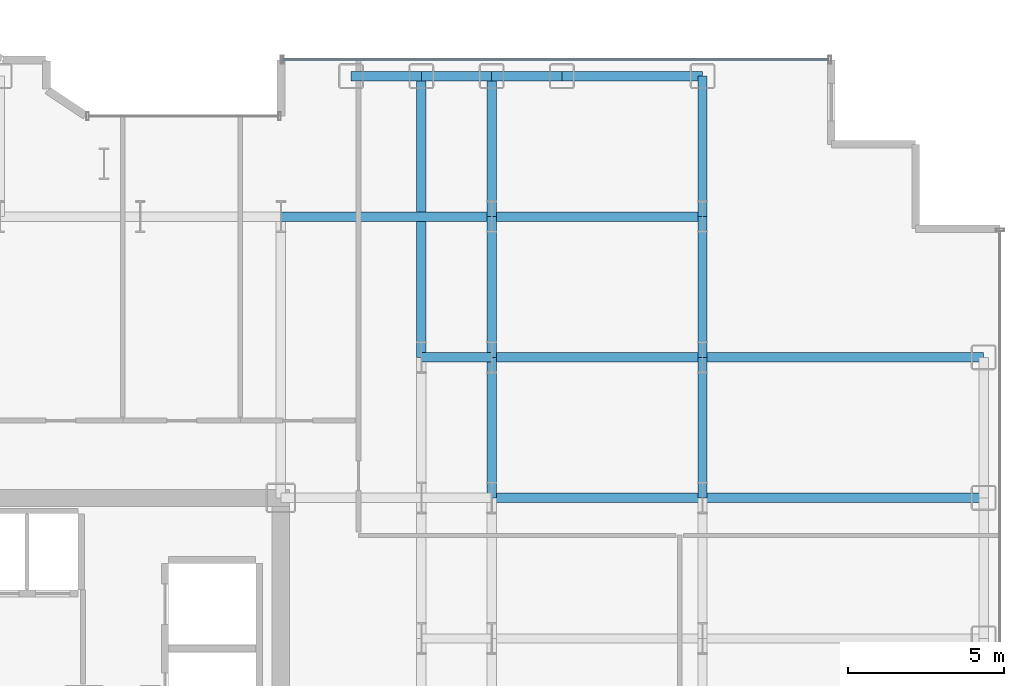
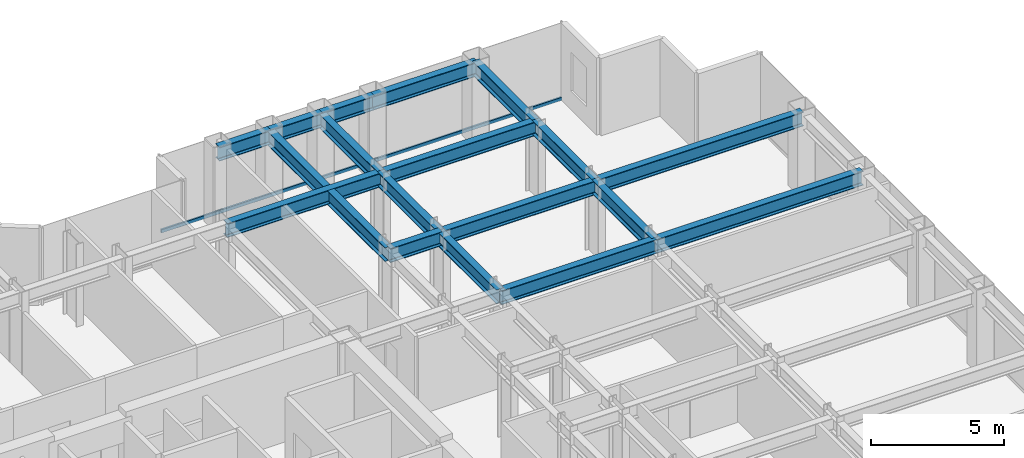
# One storey, part 13 of 26: 18 beams, 1 member, 1 element without a shape of its own.
"""IFC4 building model written with IfcOpenShell, lengths in metres."""

from ifc_helpers import new_model, si_unit, direction, frame, origin, origin_2d, place, context, subcontext, project, spatial, hollow_rectangle, i_section, extrude, source, transform, mapped, material, layer, layer_set, material_profile, profile_set, type_object, element, aggregate, save


model = new_model("IFC4")

# Units and contexts
model_context = context("Model", 3, precision=1e-05, world=origin(), true_north=direction((0.0, 1.0)))
body_context = subcontext(model_context, "Body", "Model", "MODEL_VIEW")
ifc_project = project(units=[si_unit("LENGTHUNIT", "METRE"), si_unit("AREAUNIT", "SQUARE_METRE"), si_unit("VOLUMEUNIT", "CUBIC_METRE"), si_unit("PLANEANGLEUNIT", "RADIAN"), si_unit("MASSUNIT", "GRAM", prefix="KILO")], contexts=[model_context])

# Site, building, storey
site_placement = place(None, origin())
site = spatial("IfcSite", under=ifc_project, at=site_placement, CompositionType="ELEMENT")
building_placement = place(site_placement, origin())
building = spatial("IfcBuilding", under=site, at=building_placement, Name="Nefas-Gora Pilgrimage Tower", CompositionType="ELEMENT")
storey_placement = place(building_placement, frame((0.0, 0.0, 121.199951171875)))
storey = spatial("IfcBuildingStorey", under=building, at=storey_placement, Name="L29", CompositionType="ELEMENT", Elevation=121.199951171875)

# Beams
ifc_material_1 = material(Name="Steel S355", Category="steel")
ifc_material_profile_1 = material_profile(ifc_material_1, i_section(OverallWidth=0.300048828125, OverallDepth=0.64990234375, WebThickness=0.01611328125, FlangeThickness=0.031005859375, FilletRadius=0.027099609375, at=origin_2d()), Name="HEB 650")
ifc_profile_set_1 = profile_set([ifc_material_profile_1], Name="Steel S355")
beam_type_1 = type_object("IfcBeamType", Name="BM-SPN-HEB500", PredefinedType="SPANDREL", material=ifc_profile_set_1)
shared_shape_1 = source(origin(), body_context, "Body", "SweptSolid", [
    extrude(i_section(OverallWidth=0.300048828125, OverallDepth=0.64990234375, WebThickness=0.01611328125, FlangeThickness=0.031005859375, FilletRadius=0.027099609375, at=origin_2d()), origin(), (0.0, 0.0, 1.0), 4.5),
])
beam_1_placement = place(storey_placement, frame((20.25, 22.5, 3.22509765625), z_axis=(1.0, 0.0, 0.0), x_axis=(0.0, 1.0, 0.0)))
element("IfcBeam", 1, at=beam_1_placement, inside=storey, type_object=beam_type_1, Name="L29 SP-02 beam", PredefinedType="SPANDREL", context=body_context, shape_type="MappedRepresentation", body=[
    mapped(shared_shape_1, transform((0.0, 0.0, 0.0), x_axis=(1.0, 0.0, 0.0), y_axis=(0.0, 1.0, 0.0), z_axis=(0.0, 0.0, 1.0), scale=1.0)),
])
ifc_material_profile_2 = material_profile(ifc_material_1, i_section(OverallWidth=0.300048828125, OverallDepth=0.64990234375, WebThickness=0.01611328125, FlangeThickness=0.031005859375, FilletRadius=0.027099609375, at=origin_2d()), Name="HEB 650")
ifc_profile_set_2 = profile_set([ifc_material_profile_2], Name="Steel S355")
beam_type_2 = type_object("IfcBeamType", Name="BM-GIR-HEB650", PredefinedType="BEAM", material=ifc_profile_set_2)
shared_shape_2 = source(origin(), body_context, "Body", "SweptSolid", [
    extrude(i_section(OverallWidth=0.300048828125, OverallDepth=0.64990234375, WebThickness=0.01611328125, FlangeThickness=0.031005859375, FilletRadius=0.027099609375, at=origin_2d()), origin(), (0.0, 0.0, 1.0), 9.0),
])
for number, where, z_axis, x_axis, name in (
    (2, (15.75, 13.5, 3.22509765625), (0.0, 1.0, 0.0), (-1.0, 0.0, 0.0), "L29 G-03 beam"),
    (3, (24.75, 9.0, 3.22509765625), (1.0, 0.0, 0.0), (0.0, 1.0, 0.0), "L29 G-03 beam"),
    (4, (24.75, 13.5, 3.22509765625), (1.0, 0.0, 0.0), (0.0, 1.0, 0.0), "L29 G-03 beam"),
):
    element("IfcBeam", number, at=place(storey_placement, frame(where, z_axis=z_axis, x_axis=x_axis)), inside=storey, type_object=beam_type_2, Name=name, PredefinedType="BEAM", context=body_context, shape_type="MappedRepresentation", body=[
        mapped(shared_shape_2, transform((0.0, 0.0, 0.0), x_axis=(1.0, 0.0, 0.0), y_axis=(0.0, 1.0, 0.0), z_axis=(0.0, 0.0, 1.0), scale=1.0)),
    ])
shared_shape_3 = source(origin(), body_context, "Body", "SweptSolid", [
    extrude(i_section(OverallWidth=0.300048828125, OverallDepth=0.64990234375, WebThickness=0.01611328125, FlangeThickness=0.031005859375, FilletRadius=0.027099609375, at=origin_2d()), origin(), (0.0, 0.0, 1.0), 4.5),
])
for number, where, z_axis, x_axis, name in (
    (5, (18.0, 9.0, 3.22509765625), (0.0, 1.0, 0.0), (-1.0, 0.0, 0.0), "L29 G-03 beam"),
    (6, (18.0, 13.5, 3.22509765625), (0.0, 1.0, 0.0), (-1.0, 0.0, 0.0), "L29 G-03 beam"),
    (7, (18.0, 18.0, 3.22509765625), (0.0, 1.0, 0.0), (-1.0, 0.0, 0.0), "L29 G-03 beam"),
    (8, (24.75, 9.0, 3.22509765625), (0.0, 1.0, 0.0), (-1.0, 0.0, 0.0), "L29 G-03 beam"),
    (9, (24.75, 13.5, 3.22509765625), (0.0, 1.0, 0.0), (-1.0, 0.0, 0.0), "L29 G-03 beam"),
    (10, (24.75, 18.0, 3.22509765625), (0.0, 1.0, 0.0), (-1.0, 0.0, 0.0), "L29 G-03 beam"),
):
    element("IfcBeam", number, at=place(storey_placement, frame(where, z_axis=z_axis, x_axis=x_axis)), inside=storey, type_object=beam_type_2, Name=name, PredefinedType="BEAM", context=body_context, shape_type="MappedRepresentation", body=[
        mapped(shared_shape_3, transform((0.0, 0.0, 0.0), x_axis=(1.0, 0.0, 0.0), y_axis=(0.0, 1.0, 0.0), z_axis=(0.0, 0.0, 1.0), scale=1.0)),
    ])
shared_shape_4 = source(origin(), body_context, "Body", "SweptSolid", [
    extrude(i_section(OverallWidth=0.300048828125, OverallDepth=0.64990234375, WebThickness=0.01611328125, FlangeThickness=0.031005859375, FilletRadius=0.027099609375, at=origin_2d()), origin(), (0.0, 0.0, 1.0), 6.75),
])
for number, where, z_axis, x_axis, name in (
    (11, (11.25, 18.0, 3.22509765625), (1.0, 0.0, 0.0), (0.0, 1.0, 0.0), "L29 G-03 beam"),
    (12, (18.0, 9.0, 3.22509765625), (1.0, 0.0, 0.0), (0.0, 1.0, 0.0), "L29 G-03 beam"),
    (13, (18.0, 13.5, 3.22509765625), (1.0, 0.0, 0.0), (0.0, 1.0, 0.0), "L29 G-03 beam"),
    (14, (18.0, 18.0, 3.22509765625), (1.0, 0.0, 0.0), (0.0, 1.0, 0.0), "L29 G-03 beam"),
):
    element("IfcBeam", number, at=place(storey_placement, frame(where, z_axis=z_axis, x_axis=x_axis)), inside=storey, type_object=beam_type_2, Name=name, PredefinedType="BEAM", context=body_context, shape_type="MappedRepresentation", body=[
        mapped(shared_shape_4, transform((0.0, 0.0, 0.0), x_axis=(1.0, 0.0, 0.0), y_axis=(0.0, 1.0, 0.0), z_axis=(0.0, 0.0, 1.0), scale=1.0)),
    ])
shared_shape_5 = source(origin(), body_context, "Body", "SweptSolid", [
    extrude(i_section(OverallWidth=0.300048828125, OverallDepth=0.64990234375, WebThickness=0.01611328125, FlangeThickness=0.031005859375, FilletRadius=0.027099609375, at=origin_2d()), origin(), (0.0, 0.0, 1.0), 2.25),
])
for number, where, z_axis, x_axis, name in (
    (15, (13.5, 22.5, 3.22509765625), (1.0, 0.0, 0.0), (0.0, 1.0, 0.0), "L29 SP-02 beam"),
    (16, (15.75, 22.5, 3.22509765625), (1.0, 0.0, 0.0), (0.0, 1.0, 0.0), "L29 SP-02 beam"),
    (17, (18.0, 22.5, 3.22509765625), (1.0, 0.0, 0.0), (0.0, 1.0, 0.0), "L29 SP-02 beam"),
):
    element("IfcBeam", number, at=place(storey_placement, frame(where, z_axis=z_axis, x_axis=x_axis)), inside=storey, type_object=beam_type_1, Name=name, PredefinedType="SPANDREL", context=body_context, shape_type="MappedRepresentation", body=[
        mapped(shared_shape_5, transform((0.0, 0.0, 0.0), x_axis=(1.0, 0.0, 0.0), y_axis=(0.0, 1.0, 0.0), z_axis=(0.0, 0.0, 1.0), scale=1.0)),
    ])
shared_shape_6 = source(origin(), body_context, "Body", "SweptSolid", [
    extrude(i_section(OverallWidth=0.300048828125, OverallDepth=0.64990234375, WebThickness=0.01611328125, FlangeThickness=0.031005859375, FilletRadius=0.027099609375, at=origin_2d()), origin(), (0.0, 0.0, 1.0), 2.25),
])
beam_2_placement = place(storey_placement, frame((15.75, 13.5, 3.22509765625), z_axis=(1.0, 0.0, 0.0), x_axis=(0.0, 1.0, 0.0)))
element("IfcBeam", 18, at=beam_2_placement, inside=storey, type_object=beam_type_2, Name="L29 G-03 beam", PredefinedType="BEAM", context=body_context, shape_type="MappedRepresentation", body=[
    mapped(shared_shape_6, transform((0.0, 0.0, 0.0), x_axis=(1.0, 0.0, 0.0), y_axis=(0.0, 1.0, 0.0), z_axis=(0.0, 0.0, 1.0), scale=1.0)),
])

# Curtain wall, member
ifc_material_2 = material(Name="Dark ceramic-fritted solar-control aluminium-glass curtain wall", Category="aluminium")
ifc_layer = layer(ifc_material_2, 0.219970703125)
ifc_layer_set = layer_set([ifc_layer], Name="Dark ceramic-fritted solar-control aluminium-glass curtain wall")
curtain_wall_type = type_object("IfcCurtainWallType", Name="CW-SYS-2", PredefinedType="NOTDEFINED", material=ifc_layer_set)
curtain_wall_placement = place(storey_placement, origin())
curtain_wall = element("IfcCurtainWall", 19, at=curtain_wall_placement, inside=storey, type_object=curtain_wall_type, Name="L29 Unitised Curtain Wall CW2", PredefinedType="NOTDEFINED")
ifc_material_3 = material(Name="Anodised architectural aluminium", Category="aluminium")
ifc_material_profile_3 = material_profile(ifc_material_3, hollow_rectangle(XDim=0.080078125, YDim=0.159912109375, WallThickness=0.00439453125, InnerFilletRadius=0.00439453125, OuterFilletRadius=0.009033203125, at=origin_2d()), Name="ALU TRANSOM 80x160")
ifc_profile_set_3 = profile_set([ifc_material_profile_3], Name="Anodised architectural aluminium")
member_type = type_object("IfcMemberType", Name="CWM-TRN-2", PredefinedType="USERDEFINED", material=ifc_profile_set_3)
shared_shape_7 = source(origin(), body_context, "Body", "SweptSolid", [
    extrude(hollow_rectangle(XDim=0.080078125, YDim=0.159912109375, WallThickness=0.00439453125, InnerFilletRadius=0.00439453125, OuterFilletRadius=0.009033203125, at=origin_2d()), origin(), (0.0, 0.0, 1.0), 17.43994140625),
])
member_placement = place(storey_placement, frame((28.780029296875, 23.02001953125, 0.050048828125), z_axis=(-1.0, 0.0, 0.0), x_axis=(0.0, -1.0, 0.0)))
member = element("IfcMember", 20, at=member_placement, type_object=member_type, Name="CW2 Spandrel Transom", ObjectType="TRANSOM", PredefinedType="USERDEFINED", context=body_context, shape_type="MappedRepresentation", body=[
    mapped(shared_shape_7, transform((0.0, 0.0, 0.0), x_axis=(1.0, 0.0, 0.0), y_axis=(0.0, 1.0, 0.0), z_axis=(0.0, 0.0, 1.0), scale=1.0)),
])
aggregate(curtain_wall, [member])

save(model, "model.ifc")
